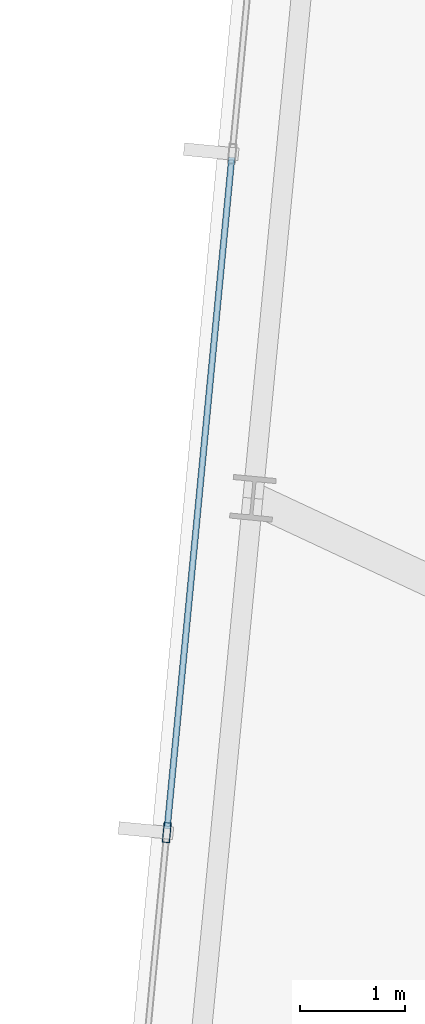
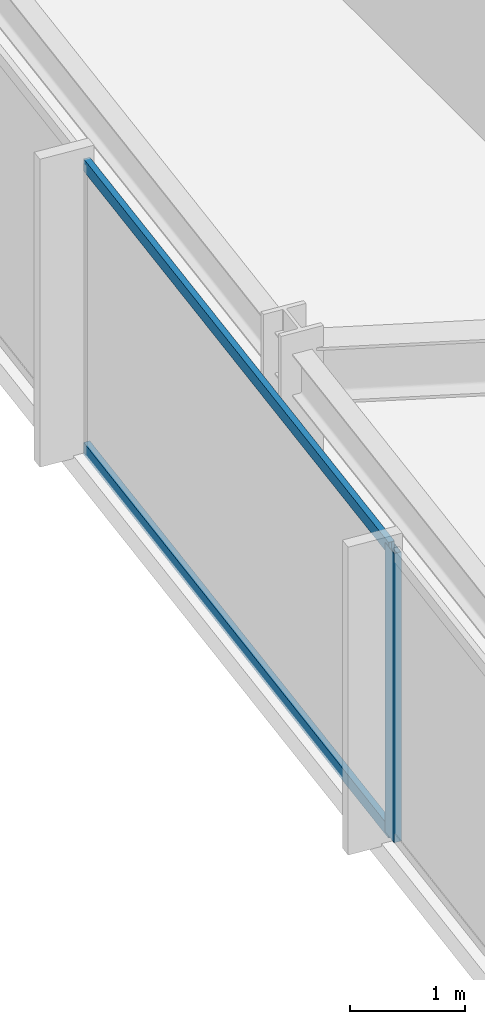
# One storey, part 8 of 37: 3 members, 1 element without a shape of its own.
"""IFC4 building model written with IfcOpenShell, lengths in metres."""

from ifc_helpers import new_model, si_unit, direction, frame, origin, origin_2d, place, context, subcontext, project, spatial, hollow_rectangle, extrude, material, material_profile, profile_set, type_object, element, aggregate, save


model = new_model("IFC4")

# Units and contexts
model_context = context("Model", 3, precision=1e-05, world=origin(), true_north=direction((0.0, 1.0)))
body_context = subcontext(model_context, "Body", "Model", "MODEL_VIEW")
ifc_project = project(units=[si_unit("LENGTHUNIT", "METRE"), si_unit("AREAUNIT", "SQUARE_METRE"), si_unit("VOLUMEUNIT", "CUBIC_METRE"), si_unit("PLANEANGLEUNIT", "RADIAN"), si_unit("MASSUNIT", "GRAM", prefix="KILO")], contexts=[model_context])

# Site, building, storey
site_placement = place(None, origin())
site = spatial("IfcSite", under=ifc_project, at=site_placement, CompositionType="ELEMENT")
building_placement = place(site_placement, origin())
building = spatial("IfcBuilding", under=site, at=building_placement, Name="Yelkora Congress Tower", CompositionType="ELEMENT")
storey_placement = place(building_placement, frame((0.0, 0.0, 168.800048828125)))
storey = spatial("IfcBuildingStorey", under=building, at=storey_placement, Name="L46", CompositionType="ELEMENT", Elevation=168.800048828125)

# Curtain wall, members
ifc_material_1 = material(Name="Anodised aluminium and insulated glass", Category="aluminium")
curtain_wall_type = type_object("IfcCurtainWallType", Name="CW-SYS-B3", PredefinedType="NOTDEFINED", material=ifc_material_1)
curtain_wall_placement = place(storey_placement, origin())
curtain_wall = element("IfcCurtainWall", 1, at=curtain_wall_placement, inside=storey, type_object=curtain_wall_type, Name="L46 Unitised Curtain Wall 5", PredefinedType="NOTDEFINED")
ifc_material_2 = material(Name="Anodised aluminium 6063-T6", Category="aluminium")
ifc_material_profile_1 = material_profile(ifc_material_2, hollow_rectangle(XDim=0.070068359375, YDim=0.18994140625, WallThickness=0.00390625, at=origin_2d()), Name="ALU 70x190x4")
ifc_profile_set_1 = profile_set([ifc_material_profile_1], Name="Anodised aluminium 6063-T6")
member_type_1 = type_object("IfcMemberType", Name="MEM-ML-B3", PredefinedType="MULLION", material=ifc_profile_set_1)
member_1_placement = place(storey_placement, frame((2.546142578125, 29.416259765625, 0.0), z_axis=(0.0, 0.0, 1.0), x_axis=(-0.995396242473, 0.095845294465, 0.0)))
member_1 = element("IfcMember", 2, at=member_1_placement, type_object=member_type_1, Name="CW-B3 mullion 3", PredefinedType="MULLION", context=body_context, shape_type="SweptSolid", body=[
    extrude(hollow_rectangle(XDim=0.070068359375, YDim=0.18994140625, WallThickness=0.00390625, at=origin_2d()), origin(), (0.0, 0.0, 1.0), 3.079833984375),
])
ifc_material_profile_2 = material_profile(ifc_material_2, hollow_rectangle(XDim=0.06005859375, YDim=0.1298828125, WallThickness=0.00390625, at=origin_2d()), Name="ALU 60x130x4")
ifc_profile_set_2 = profile_set([ifc_material_profile_2], Name="Anodised aluminium 6063-T6")
member_type_2 = type_object("IfcMemberType", Name="MEM-TR-B3", PredefinedType="USERDEFINED", material=ifc_profile_set_2)
member_2_placement = place(storey_placement, frame((2.549560546875, 29.450927734375, 0.030029296875), z_axis=(0.095843682057, 0.995396397728, 0.0), x_axis=(-0.995396397728, 0.095843682057, 0.0)))
member_2 = element("IfcMember", 3, at=member_2_placement, type_object=member_type_2, Name="CW-B3 transom 3.1", ObjectType="TRANSOM", PredefinedType="USERDEFINED", context=body_context, shape_type="SweptSolid", body=[
    extrude(hollow_rectangle(XDim=0.06005859375, YDim=0.1298828125, WallThickness=0.00390625, at=origin_2d()), origin(), (0.0, 0.0, 1.0), 6.4140625),
])
member_3_placement = place(storey_placement, frame((2.549560546875, 29.450927734375, 3.050048828125), z_axis=(0.095843682057, 0.995396397728, 0.0), x_axis=(-0.995396397728, 0.095843682057, 0.0)))
member_3 = element("IfcMember", 4, at=member_3_placement, type_object=member_type_2, Name="CW-B3 transom 3.2", ObjectType="TRANSOM", PredefinedType="USERDEFINED", context=body_context, shape_type="SweptSolid", body=[
    extrude(hollow_rectangle(XDim=0.06005859375, YDim=0.1298828125, WallThickness=0.00390625, at=origin_2d()), origin(), (0.0, 0.0, 1.0), 6.4140625),
])
aggregate(curtain_wall, [member_1, member_2, member_3])

save(model, "model.ifc")
